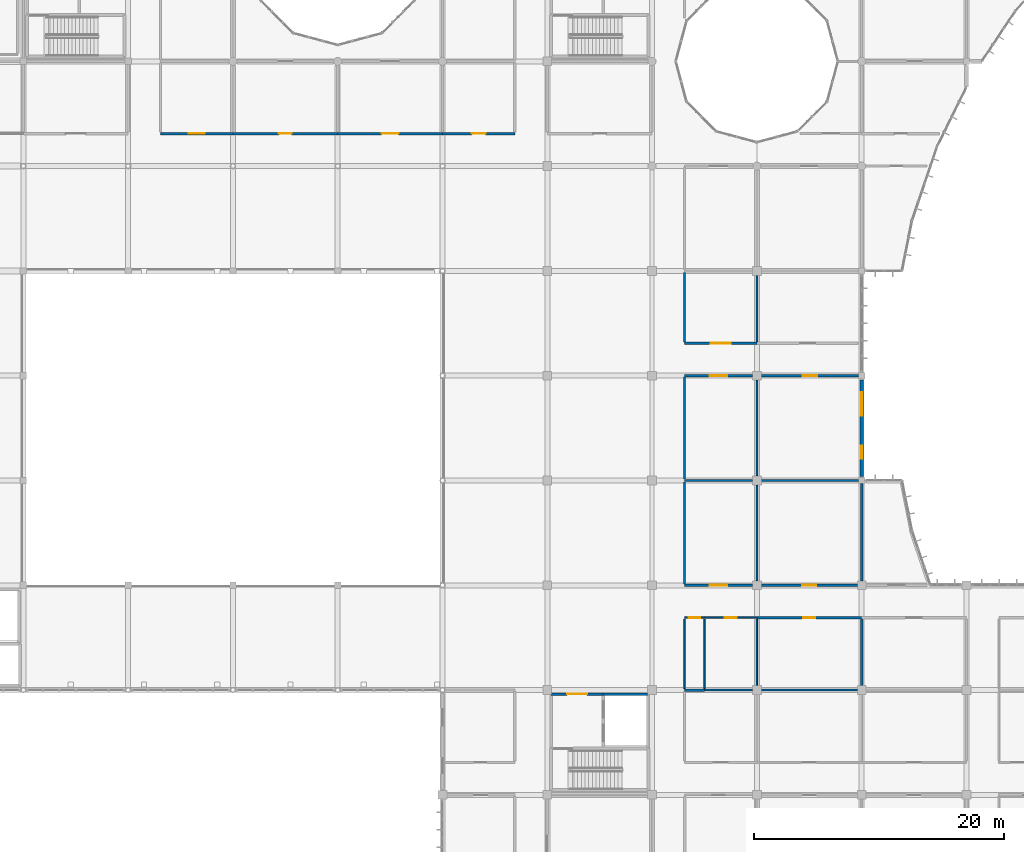
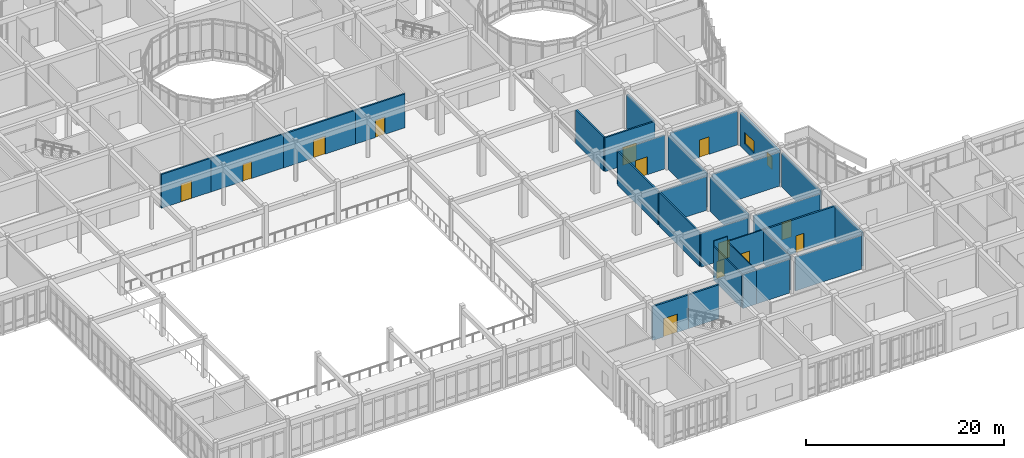
# One storey, part 94 of 134: 31 walls, 13 doors, 2 windows, 15 openings.
"""IFC4 building model written with IfcOpenShell, lengths in metres."""

from ifc_helpers import new_model, si_unit, direction, frame, frame_2d, origin, place, context, subcontext, project, spatial, rectangle, extrude, material, layer, layer_set, type_object, element, fill, save


model = new_model("IFC4")

# Units and contexts
model_context = context("Model", 3, precision=1e-05, world=origin(), true_north=direction((0.0, 1.0)))
body_context = subcontext(model_context, "Body", "Model", "MODEL_VIEW")
ifc_project = project(units=[si_unit("LENGTHUNIT", "METRE"), si_unit("AREAUNIT", "SQUARE_METRE"), si_unit("VOLUMEUNIT", "CUBIC_METRE"), si_unit("PLANEANGLEUNIT", "RADIAN"), si_unit("MASSUNIT", "GRAM", prefix="KILO")], contexts=[model_context])

# Site, building, storey
site_placement = place(None, origin())
site = spatial("IfcSite", under=ifc_project, at=site_placement, CompositionType="ELEMENT")
building_placement = place(site_placement, origin())
building = spatial("IfcBuilding", under=site, at=building_placement, Name="Bramfleet General Hospital", CompositionType="ELEMENT")
storey_placement = place(building_placement, frame((0.0, 0.0, 9.300048828125)))
storey = spatial("IfcBuildingStorey", under=building, at=storey_placement, Name="L02", CompositionType="ELEMENT", Elevation=9.300048828125)

# Wall, openings, windows
ifc_material_1 = material(Name="Precast concrete C40/50", Category="concrete")
ifc_layer_1 = layer(ifc_material_1, 0.280029296875, Name="WT-EW-06")
ifc_layer_set_1 = layer_set([ifc_layer_1], Name="Precast concrete C40/50")
wall_type_1 = type_object("IfcWallType", Name="WT-EW-06", PredefinedType="SOLIDWALL", material=ifc_layer_set_1)
wall_1_placement = place(storey_placement, frame((126.0, 41.675048828125, 0.0), z_axis=(0.0, 0.0, 1.0), x_axis=(0.0, -1.0, 0.0)))
wall_1 = element("IfcWall", 1, at=wall_1_placement, inside=storey, type_object=wall_type_1, Name="L02 Exterior Wall 221", PredefinedType="SOLIDWALL", context=body_context, shape_type="SweptSolid", body=[
    extrude(rectangle(XDim=7.75, YDim=0.280029296875, at=frame_2d((3.875, 0.0))), origin(), (0.0, 0.0, 1.0), 4.070068359375),
])
opening_1_placement = place(wall_1_placement, frame((0.987548828125, 0.0, 0.85009765625)))
opening_1 = element("IfcOpeningElement", 2, at=opening_1_placement, cuts=wall_1, Name="Opening W-20", PredefinedType="OPENING", context=body_context, shape_type="SweptSolid", body=[
    extrude(rectangle(XDim=1.89990234375, YDim=1.419921875, at=frame_2d((0.949951171875, 0.7099609375))), frame((0.0, 0.14990234375, 0.0), z_axis=(0.0, -1.0, 0.0), x_axis=(1.0, 0.0, 0.0)), (0.0, 0.0, 1.0), 0.300048828125),
])
opening_2_placement = place(wall_1_placement, frame((5.28759765625, 0.0, 0.85009765625)))
opening_2 = element("IfcOpeningElement", 3, at=opening_2_placement, cuts=wall_1, Name="Opening W-21", PredefinedType="OPENING", context=body_context, shape_type="SweptSolid", body=[
    extrude(rectangle(XDim=1.050048828125, YDim=1.5400390625, at=frame_2d((0.52490234375, 0.77001953125))), frame((0.0, 0.14990234375, 0.0), z_axis=(0.0, -1.0, 0.0), x_axis=(1.0, 0.0, 0.0)), (0.0, 0.0, 1.0), 0.300048828125),
])
ifc_material_2 = material(Name="Anodised aluminium and low-E triple glazing", Category="aluminium")
window_type_1 = type_object("IfcWindowType", Name="WIN-W-20", PartitioningType="SINGLE_PANEL", PredefinedType="WINDOW", material=ifc_material_2)
window_1_placement = place(opening_1_placement, origin())
window_1 = element("IfcWindow", 4, at=window_1_placement, inside=storey, type_object=window_type_1, Name="L02 Facade Window WIN-L02-221-1", OverallHeight=1.419921875, OverallWidth=1.89990234375, PartitioningType="SINGLE_PANEL", PredefinedType="WINDOW", context=body_context, shape_type="SweptSolid", body=[
    extrude(rectangle(XDim=1.89990234375, YDim=1.419921875, at=frame_2d((0.949951171875, 0.7099609375))), frame((0.0, 0.030029296875, 0.0), z_axis=(0.0, -1.0, 0.0), x_axis=(1.0, 0.0, 0.0)), (0.0, 0.0, 1.0), 0.06005859375),
])
fill(opening_1, window_1)
window_type_2 = type_object("IfcWindowType", Name="WIN-W-21", PartitioningType="SINGLE_PANEL", PredefinedType="WINDOW", material=ifc_material_2)
window_2_placement = place(opening_2_placement, origin())
window_2 = element("IfcWindow", 5, at=window_2_placement, inside=storey, type_object=window_type_2, Name="L02 Facade Window WIN-L02-221-2", OverallHeight=1.5400390625, OverallWidth=1.050048828125, PartitioningType="SINGLE_PANEL", PredefinedType="WINDOW", context=body_context, shape_type="SweptSolid", body=[
    extrude(rectangle(XDim=1.050048828125, YDim=1.5400390625, at=frame_2d((0.52490234375, 0.77001953125))), frame((0.0, 0.030029296875, 0.0), z_axis=(0.0, -1.0, 0.0), x_axis=(1.0, 0.0, 0.0)), (0.0, 0.0, 1.0), 0.06005859375),
])
fill(opening_2, window_2)

# Walls
ifc_material_3 = material(Name="Concrete C35/45", Category="concrete")
ifc_layer_2 = layer(ifc_material_3, 0.219970703125, Name="WT-IW-01")
ifc_layer_set_2 = layer_set([ifc_layer_2], Name="Concrete C35/45")
wall_type_2 = type_object("IfcWallType", Name="WT-IW-01", PredefinedType="PARTITIONING", material=ifc_layer_set_2)
wall_2_placement = place(storey_placement, frame((126.0, 17.14501953125, 0.0), z_axis=(0.0, 0.0, 1.0), x_axis=(0.0, 1.0, 0.0)))
element("IfcWall", 6, at=wall_2_placement, inside=storey, type_object=wall_type_2, Name="L02 Interior Partition IW-L02-2401", PredefinedType="PARTITIONING", context=body_context, shape_type="SweptSolid", body=[
    extrude(rectangle(XDim=5.340087890625, YDim=0.219970703125, at=frame_2d((2.669921875, 0.0))), origin(), (0.0, 0.0, 1.0), 4.169921875),
])
ifc_layer_3 = layer(ifc_material_3, 0.205078125, Name="WT-IW-02")
ifc_layer_set_3 = layer_set([ifc_layer_3], Name="Concrete C35/45")
wall_type_3 = type_object("IfcWallType", Name="WT-IW-02", PredefinedType="PARTITIONING", material=ifc_layer_set_3)
wall_3_placement = place(storey_placement, frame((105.280029296875, 16.47998046875, 0.0), z_axis=(0.0, 0.0, 1.0), x_axis=(1.0, 0.0, 0.0)))
element("IfcWall", 7, at=wall_3_placement, inside=storey, type_object=wall_type_3, Name="L02 C3 Lift Shaft North Wall", PredefinedType="PARTITIONING", context=body_context, shape_type="SweptSolid", body=[
    extrude(rectangle(XDim=3.570068359375, YDim=0.205078125, at=frame_2d((1.78515625, 0.0))), origin(), (0.0, 0.0, 1.0), 4.169921875),
])

# Wall, opening, door
wall_4_placement = place(storey_placement, frame((101.10009765625, 16.47998046875, 0.0), z_axis=(0.0, 0.0, 1.0), x_axis=(1.0, 0.0, 0.0)))
wall_4 = element("IfcWall", 8, at=wall_4_placement, inside=storey, type_object=wall_type_3, Name="L02 C3 Lobby North Compartment Wall", PredefinedType="PARTITIONING", context=body_context, shape_type="SweptSolid", body=[
    extrude(rectangle(XDim=4.179931640625, YDim=0.205078125, at=frame_2d((2.08984375, 0.0))), origin(), (0.0, 0.0, 1.0), 4.169921875),
])
opening_3_placement = place(wall_4_placement, frame((1.2900390625, 0.0, 0.0)))
opening_3 = element("IfcOpeningElement", 9, at=opening_3_placement, cuts=wall_4, Name="Opening D0026", PredefinedType="OPENING", context=body_context, shape_type="SweptSolid", body=[
    extrude(rectangle(XDim=1.60009765625, YDim=2.25, at=frame_2d((0.800048828125, 1.125))), frame((0.0, 0.112548828125, 0.0), z_axis=(0.0, -1.0, 0.0), x_axis=(1.0, 0.0, 0.0)), (0.0, 0.0, 1.0), 0.22509765625),
])
ifc_material_4 = material(Name="Stainless steel and acoustic timber leaf", Category="steel")
door_type_1 = type_object("IfcDoorType", Name="DR-D-04", OperationType="NOTDEFINED", PredefinedType="DOOR", material=ifc_material_4)
door_1_placement = place(opening_3_placement, origin())
door_1 = element("IfcDoor", 10, at=door_1_placement, inside=storey, type_object=door_type_1, Name="L02 C3 Lobby Fire Door D0026", OperationType="DOUBLE_SWING_LEFT", OverallHeight=2.25, OverallWidth=1.60009765625, PredefinedType="DOOR", context=body_context, shape_type="SweptSolid", body=[
    extrude(rectangle(XDim=1.60009765625, YDim=2.25, at=frame_2d((0.800048828125, 1.125))), frame((0.0, 0.02490234375, 0.0), z_axis=(0.0, -1.0, 0.0), x_axis=(1.0, 0.0, 0.0)), (0.0, 0.0, 1.0), 0.050048828125),
])
fill(opening_3, door_1)

wall_5_placement = place(storey_placement, frame((117.60009765625, 22.60009765625, 0.0), z_axis=(0.0, 0.0, 1.0), x_axis=(1.0, 0.0, 0.0)))
wall_5 = element("IfcWall", 11, at=wall_5_placement, inside=storey, type_object=wall_type_3, Name="L02 Interior Partition IW-L02-1958", PredefinedType="PARTITIONING", context=body_context, shape_type="SweptSolid", body=[
    extrude(rectangle(XDim=8.39990234375, YDim=0.205078125, at=frame_2d((4.199951171875, 0.0))), origin(), (0.0, 0.0, 1.0), 4.169921875),
])
opening_4_placement = place(wall_5_placement, frame((3.72509765625, 0.0, 0.0)))
opening_4 = element("IfcOpeningElement", 12, at=opening_4_placement, cuts=wall_5, Name="Opening D0970", PredefinedType="OPENING", context=body_context, shape_type="SweptSolid", body=[
    extrude(rectangle(XDim=0.949951171875, YDim=2.10009765625, at=frame_2d((0.47509765625, 1.050048828125))), frame((0.0, 0.112548828125, 0.0), z_axis=(0.0, -1.0, 0.0), x_axis=(1.0, 0.0, 0.0)), (0.0, 0.0, 1.0), 0.22509765625),
])
door_type_2 = type_object("IfcDoorType", Name="DR-D-10", OperationType="NOTDEFINED", PredefinedType="DOOR", material=ifc_material_4)
door_2_placement = place(opening_4_placement, origin())
door_2 = element("IfcDoor", 13, at=door_2_placement, inside=storey, type_object=door_type_2, Name="Outpatient Physiotherapy Clinic L02-1402 Door D0970", OperationType="SINGLE_SWING_LEFT", OverallHeight=2.10009765625, OverallWidth=0.949951171875, PredefinedType="DOOR", context=body_context, shape_type="SweptSolid", body=[
    extrude(rectangle(XDim=0.949951171875, YDim=2.10009765625, at=frame_2d((0.47509765625, 1.050048828125))), frame((0.0, 0.02490234375, 0.0), z_axis=(0.0, -1.0, 0.0), x_axis=(1.0, 0.0, 0.0)), (0.0, 0.0, 1.0), 0.050048828125),
])
fill(opening_4, door_2)

# Walls
ifc_layer_4 = layer(ifc_material_3, 0.18994140625, Name="WT-IW-03")
ifc_layer_set_4 = layer_set([ifc_layer_4], Name="Concrete C35/45")
wall_type_4 = type_object("IfcWallType", Name="WT-IW-03", PredefinedType="PARTITIONING", material=ifc_layer_set_4)
wall_6_placement = place(storey_placement, frame((111.800048828125, 16.800048828125, 0.0), z_axis=(0.0, 0.0, 1.0), x_axis=(1.0, 0.0, 0.0)))
element("IfcWall", 14, at=wall_6_placement, inside=storey, type_object=wall_type_4, Name="L02 Interior Partition IW-L02-1947", PredefinedType="PARTITIONING", context=body_context, shape_type="SweptSolid", body=[
    extrude(rectangle(XDim=1.599853515625, YDim=0.18994140625, at=frame_2d((0.7998046875, 0.0))), origin(), (0.0, 0.0, 1.0), 4.169921875),
])
ifc_layer_5 = layer(ifc_material_3, 0.179931640625, Name="WT-IW-04")
ifc_layer_set_5 = layer_set([ifc_layer_5], Name="Concrete C35/45")
wall_type_5 = type_object("IfcWallType", Name="WT-IW-04", PredefinedType="PARTITIONING", material=ifc_layer_set_5)
wall_7_placement = place(storey_placement, frame((113.39990234375, 16.800048828125, 0.0), z_axis=(0.0, 0.0, 1.0), x_axis=(1.0, 0.0, 0.0)))
element("IfcWall", 15, at=wall_7_placement, inside=storey, type_object=wall_type_5, Name="L02 Interior Partition IW-L02-1948", PredefinedType="PARTITIONING", context=body_context, shape_type="SweptSolid", body=[
    extrude(rectangle(XDim=3.85498046875, YDim=0.179931640625, at=frame_2d((1.927490234375, 0.0))), origin(), (0.0, 0.0, 1.0), 4.169921875),
])

# Wall, opening, door
wall_8_placement = place(storey_placement, frame((111.800048828125, 25.199951171875, 0.0), z_axis=(0.0, 0.0, 1.0), x_axis=(1.0, 0.0, 0.0)))
wall_8 = element("IfcWall", 16, at=wall_8_placement, inside=storey, type_object=wall_type_5, Name="L02 Interior Partition IW-L02-1964", PredefinedType="PARTITIONING", context=body_context, shape_type="SweptSolid", body=[
    extrude(rectangle(XDim=5.454833984375, YDim=0.179931640625, at=frame_2d((2.7275390625, 0.0))), origin(), (0.0, 0.0, 1.0), 4.169921875),
])
opening_5_placement = place(wall_8_placement, frame((2.03759765625, 0.0, 0.0)))
opening_5 = element("IfcOpeningElement", 17, at=opening_5_placement, cuts=wall_8, Name="Opening D0958", PredefinedType="OPENING", context=body_context, shape_type="SweptSolid", body=[
    extrude(rectangle(XDim=1.3798828125, YDim=2.219970703125, at=frame_2d((0.68994140625, 1.10986328125))), frame((0.0, 0.099853515625, 0.0), z_axis=(0.0, -1.0, 0.0), x_axis=(1.0, 0.0, 0.0)), (0.0, 0.0, 1.0), 0.199951171875),
])
door_type_3 = type_object("IfcDoorType", Name="DR-D-30", OperationType="NOTDEFINED", PredefinedType="DOOR", material=ifc_material_4)
door_3_placement = place(opening_5_placement, origin())
door_3 = element("IfcDoor", 18, at=door_3_placement, inside=storey, type_object=door_type_3, Name="Interventional Cardiology Cath Lab L02-1303 Door D0958", OperationType="SINGLE_SWING_LEFT", OverallHeight=2.219970703125, OverallWidth=1.3798828125, PredefinedType="DOOR", context=body_context, shape_type="SweptSolid", body=[
    extrude(rectangle(XDim=1.3798828125, YDim=2.219970703125, at=frame_2d((0.68994140625, 1.10986328125))), frame((0.0, 0.02490234375, 0.0), z_axis=(0.0, -1.0, 0.0), x_axis=(1.0, 0.0, 0.0)), (0.0, 0.0, 1.0), 0.050048828125),
])
fill(opening_5, door_3)

wall_9_placement = place(storey_placement, frame((117.945068359375, 25.199951171875, 0.0), z_axis=(0.0, 0.0, 1.0), x_axis=(1.0, 0.0, 0.0)))
wall_9 = element("IfcWall", 19, at=wall_9_placement, inside=storey, type_object=wall_type_5, Name="L02 Interior Partition IW-L02-1965", PredefinedType="PARTITIONING", context=body_context, shape_type="SweptSolid", body=[
    extrude(rectangle(XDim=7.7099609375, YDim=0.179931640625, at=frame_2d((3.85498046875, 0.0))), origin(), (0.0, 0.0, 1.0), 4.169921875),
])
opening_6_placement = place(wall_9_placement, frame((3.304931640625, 0.0, 0.0)))
opening_6 = element("IfcOpeningElement", 20, at=opening_6_placement, cuts=wall_9, Name="Opening D0971", PredefinedType="OPENING", context=body_context, shape_type="SweptSolid", body=[
    extrude(rectangle(XDim=1.10009765625, YDim=2.14990234375, at=frame_2d((0.550048828125, 1.074951171875))), frame((0.0, 0.099853515625, 0.0), z_axis=(0.0, -1.0, 0.0), x_axis=(1.0, 0.0, 0.0)), (0.0, 0.0, 1.0), 0.199951171875),
])
door_type_4 = type_object("IfcDoorType", Name="DR-D-11", OperationType="NOTDEFINED", PredefinedType="DOOR", material=ifc_material_4)
door_4_placement = place(opening_6_placement, origin())
door_4 = element("IfcDoor", 21, at=door_4_placement, inside=storey, type_object=door_type_4, Name="Interventional Cardiology Cath Lab L02-1403 Door D0971", OperationType="SINGLE_SWING_RIGHT", OverallHeight=2.14990234375, OverallWidth=1.10009765625, PredefinedType="DOOR", context=body_context, shape_type="SweptSolid", body=[
    extrude(rectangle(XDim=1.10009765625, YDim=2.14990234375, at=frame_2d((0.550048828125, 1.074951171875))), frame((0.0, 0.02490234375, 0.0), z_axis=(0.0, -1.0, 0.0), x_axis=(1.0, 0.0, 0.0)), (0.0, 0.0, 1.0), 0.050048828125),
])
fill(opening_6, door_4)

# Walls
wall_10_placement = place(storey_placement, frame((111.800048828125, 33.60009765625, 0.0), z_axis=(0.0, 0.0, 1.0), x_axis=(1.0, 0.0, 0.0)))
element("IfcWall", 22, at=wall_10_placement, inside=storey, type_object=wall_type_5, Name="L02 Interior Partition IW-L02-1967", PredefinedType="PARTITIONING", context=body_context, shape_type="SweptSolid", body=[
    extrude(rectangle(XDim=5.454833984375, YDim=0.179931640625, at=frame_2d((2.7275390625, 0.0))), origin(), (0.0, 0.0, 1.0), 4.169921875),
])
wall_11_placement = place(storey_placement, frame((117.945068359375, 33.60009765625, 0.0), z_axis=(0.0, 0.0, 1.0), x_axis=(1.0, 0.0, 0.0)))
element("IfcWall", 23, at=wall_11_placement, inside=storey, type_object=wall_type_5, Name="L02 Interior Partition IW-L02-1968", PredefinedType="PARTITIONING", context=body_context, shape_type="SweptSolid", body=[
    extrude(rectangle(XDim=7.809814453125, YDim=0.179931640625, at=frame_2d((3.90478515625, 0.0))), origin(), (0.0, 0.0, 1.0), 4.169921875),
])

# Wall, opening, door
wall_12_placement = place(storey_placement, frame((111.800048828125, 42.0, 0.0), z_axis=(0.0, 0.0, 1.0), x_axis=(1.0, 0.0, 0.0)))
wall_12 = element("IfcWall", 24, at=wall_12_placement, inside=storey, type_object=wall_type_5, Name="L02 Interior Partition IW-L02-1969", PredefinedType="PARTITIONING", context=body_context, shape_type="SweptSolid", body=[
    extrude(rectangle(XDim=5.454833984375, YDim=0.179931640625, at=frame_2d((2.7275390625, 0.0))), origin(), (0.0, 0.0, 1.0), 4.169921875),
])
opening_7_placement = place(wall_12_placement, frame((2.017578125, 0.0, 0.0)))
opening_7 = element("IfcOpeningElement", 25, at=opening_7_placement, cuts=wall_12, Name="Opening D0959", PredefinedType="OPENING", context=body_context, shape_type="SweptSolid", body=[
    extrude(rectangle(XDim=1.419921875, YDim=2.219970703125, at=frame_2d((0.7099609375, 1.10986328125))), frame((0.0, 0.099853515625, 0.0), z_axis=(0.0, -1.0, 0.0), x_axis=(1.0, 0.0, 0.0)), (0.0, 0.0, 1.0), 0.199951171875),
])
door_type_5 = type_object("IfcDoorType", Name="DR-D-31", OperationType="NOTDEFINED", PredefinedType="DOOR", material=ifc_material_4)
door_5_placement = place(opening_7_placement, origin())
door_5 = element("IfcDoor", 26, at=door_5_placement, inside=storey, type_object=door_type_5, Name="Interventional Cardiology Cath Lab L02-1304 Door D0959", OperationType="SINGLE_SWING_RIGHT", OverallHeight=2.219970703125, OverallWidth=1.419921875, PredefinedType="DOOR", context=body_context, shape_type="SweptSolid", body=[
    extrude(rectangle(XDim=1.419921875, YDim=2.219970703125, at=frame_2d((0.7099609375, 1.10986328125))), frame((0.0, 0.02490234375, 0.0), z_axis=(0.0, -1.0, 0.0), x_axis=(1.0, 0.0, 0.0)), (0.0, 0.0, 1.0), 0.050048828125),
])
fill(opening_7, door_5)

wall_13_placement = place(storey_placement, frame((117.945068359375, 42.0, 0.0), z_axis=(0.0, 0.0, 1.0), x_axis=(1.0, 0.0, 0.0)))
wall_13 = element("IfcWall", 27, at=wall_13_placement, inside=storey, type_object=wall_type_5, Name="L02 Interior Partition IW-L02-1970", PredefinedType="PARTITIONING", context=body_context, shape_type="SweptSolid", body=[
    extrude(rectangle(XDim=7.809814453125, YDim=0.179931640625, at=frame_2d((3.90478515625, 0.0))), origin(), (0.0, 0.0, 1.0), 4.169921875),
])
opening_8_placement = place(wall_13_placement, frame((3.330078125, 0.0, 0.0)))
opening_8 = element("IfcOpeningElement", 28, at=opening_8_placement, cuts=wall_13, Name="Opening D0972", PredefinedType="OPENING", context=body_context, shape_type="SweptSolid", body=[
    extrude(rectangle(XDim=1.14990234375, YDim=2.14990234375, at=frame_2d((0.574951171875, 1.074951171875))), frame((0.0, 0.099853515625, 0.0), z_axis=(0.0, -1.0, 0.0), x_axis=(1.0, 0.0, 0.0)), (0.0, 0.0, 1.0), 0.199951171875),
])
door_type_6 = type_object("IfcDoorType", Name="DR-D-12", OperationType="NOTDEFINED", PredefinedType="DOOR", material=ifc_material_4)
door_6_placement = place(opening_8_placement, origin())
door_6 = element("IfcDoor", 29, at=door_6_placement, inside=storey, type_object=door_type_6, Name="Interventional Cardiology Cath Lab L02-1404 Door D0972", OperationType="SINGLE_SWING_LEFT", OverallHeight=2.14990234375, OverallWidth=1.14990234375, PredefinedType="DOOR", context=body_context, shape_type="SweptSolid", body=[
    extrude(rectangle(XDim=1.14990234375, YDim=2.14990234375, at=frame_2d((0.574951171875, 1.074951171875))), frame((0.0, 0.02490234375, 0.0), z_axis=(0.0, -1.0, 0.0), x_axis=(1.0, 0.0, 0.0)), (0.0, 0.0, 1.0), 0.050048828125),
])
fill(opening_8, door_6)

wall_14_placement = place(storey_placement, frame((111.800048828125, 44.60009765625, 0.0), z_axis=(0.0, 0.0, 1.0), x_axis=(1.0, 0.0, 0.0)))
wall_14 = element("IfcWall", 30, at=wall_14_placement, inside=storey, type_object=wall_type_5, Name="L02 Interior Partition IW-L02-1971", PredefinedType="PARTITIONING", context=body_context, shape_type="SweptSolid", body=[
    extrude(rectangle(XDim=5.800048828125, YDim=0.179931640625, at=frame_2d((2.89990234375, 0.0))), origin(), (0.0, 0.0, 1.0), 4.169921875),
])
opening_9_placement = place(wall_14_placement, frame((2.110107421875, 0.0, 0.0)))
opening_9 = element("IfcOpeningElement", 31, at=opening_9_placement, cuts=wall_14, Name="Opening D0960", PredefinedType="OPENING", context=body_context, shape_type="SweptSolid", body=[
    extrude(rectangle(XDim=1.580078125, YDim=2.219970703125, at=frame_2d((0.7900390625, 1.10986328125))), frame((0.0, 0.099853515625, 0.0), z_axis=(0.0, -1.0, 0.0), x_axis=(1.0, 0.0, 0.0)), (0.0, 0.0, 1.0), 0.199951171875),
])
door_type_7 = type_object("IfcDoorType", Name="DR-D-32", OperationType="NOTDEFINED", PredefinedType="DOOR", material=ifc_material_4)
door_7_placement = place(opening_9_placement, origin())
door_7 = element("IfcDoor", 32, at=door_7_placement, inside=storey, type_object=door_type_7, Name="Interventional Cardiology Cath Lab L02-1305 Door D0960", OperationType="DOUBLE_SWING_LEFT", OverallHeight=2.219970703125, OverallWidth=1.580078125, PredefinedType="DOOR", context=body_context, shape_type="SweptSolid", body=[
    extrude(rectangle(XDim=1.580078125, YDim=2.219970703125, at=frame_2d((0.7900390625, 1.10986328125))), frame((0.0, 0.02490234375, 0.0), z_axis=(0.0, -1.0, 0.0), x_axis=(1.0, 0.0, 0.0)), (0.0, 0.0, 1.0), 0.050048828125),
])
fill(opening_9, door_7)

wall_15_placement = place(storey_placement, frame((69.800048828125, 61.39990234375, 0.0), z_axis=(0.0, 0.0, 1.0), x_axis=(1.0, 0.0, 0.0)))
wall_15 = element("IfcWall", 33, at=wall_15_placement, inside=storey, type_object=wall_type_5, Name="L02 Interior Partition IW-L02-1993", PredefinedType="PARTITIONING", context=body_context, shape_type="SweptSolid", body=[
    extrude(rectangle(XDim=5.800048828125, YDim=0.179931640625, at=frame_2d((2.89990234375, 0.0))), origin(), (0.0, 0.0, 1.0), 4.169921875),
])
opening_10_placement = place(wall_15_placement, frame((2.27490234375, 0.0, 0.0)))
opening_10 = element("IfcOpeningElement", 34, at=opening_10_placement, cuts=wall_15, Name="Opening D0910", PredefinedType="OPENING", context=body_context, shape_type="SweptSolid", body=[
    extrude(rectangle(XDim=1.25, YDim=2.199951171875, at=frame_2d((0.625, 1.10009765625))), frame((0.0, 0.099853515625, 0.0), z_axis=(0.0, -1.0, 0.0), x_axis=(1.0, 0.0, 0.0)), (0.0, 0.0, 1.0), 0.199951171875),
])
door_type_8 = type_object("IfcDoorType", Name="DR-D-14", OperationType="NOTDEFINED", PredefinedType="DOOR", material=ifc_material_4)
door_8_placement = place(opening_10_placement, origin())
door_8 = element("IfcDoor", 35, at=door_8_placement, inside=storey, type_object=door_type_8, Name="Interventional Cardiology Cath Lab L02-0807 Door D0910", OperationType="SINGLE_SWING_LEFT", OverallHeight=2.199951171875, OverallWidth=1.25, PredefinedType="DOOR", context=body_context, shape_type="SweptSolid", body=[
    extrude(rectangle(XDim=1.25, YDim=2.199951171875, at=frame_2d((0.625, 1.10009765625))), frame((0.0, 0.02490234375, 0.0), z_axis=(0.0, -1.0, 0.0), x_axis=(1.0, 0.0, 0.0)), (0.0, 0.0, 1.0), 0.050048828125),
])
fill(opening_10, door_8)

wall_16_placement = place(storey_placement, frame((75.60009765625, 61.39990234375, 0.0), z_axis=(0.0, 0.0, 1.0), x_axis=(1.0, 0.0, 0.0)))
wall_16 = element("IfcWall", 36, at=wall_16_placement, inside=storey, type_object=wall_type_5, Name="L02 Interior Partition IW-L02-1994", PredefinedType="PARTITIONING", context=body_context, shape_type="SweptSolid", body=[
    extrude(rectangle(XDim=8.39990234375, YDim=0.179931640625, at=frame_2d((4.199951171875, 0.0))), origin(), (0.0, 0.0, 1.0), 4.169921875),
])
opening_11_placement = place(wall_16_placement, frame((3.68994140625, 0.0, 0.0)))
opening_11 = element("IfcOpeningElement", 37, at=opening_11_placement, cuts=wall_16, Name="Opening D0917", PredefinedType="OPENING", context=body_context, shape_type="SweptSolid", body=[
    extrude(rectangle(XDim=1.02001953125, YDim=2.1201171875, at=frame_2d((0.510009765625, 1.06005859375))), frame((0.0, 0.099853515625, 0.0), z_axis=(0.0, -1.0, 0.0), x_axis=(1.0, 0.0, 0.0)), (0.0, 0.0, 1.0), 0.199951171875),
])
door_type_9 = type_object("IfcDoorType", Name="DR-D-21", OperationType="NOTDEFINED", PredefinedType="DOOR", material=ifc_material_4)
door_9_placement = place(opening_11_placement, origin())
door_9 = element("IfcDoor", 38, at=door_9_placement, inside=storey, type_object=door_type_9, Name="Interventional Cardiology Cath Lab L02-0907 Door D0917", OperationType="SINGLE_SWING_RIGHT", OverallHeight=2.1201171875, OverallWidth=1.02001953125, PredefinedType="DOOR", context=body_context, shape_type="SweptSolid", body=[
    extrude(rectangle(XDim=1.02001953125, YDim=2.1201171875, at=frame_2d((0.510009765625, 1.06005859375))), frame((0.0, 0.02490234375, 0.0), z_axis=(0.0, -1.0, 0.0), x_axis=(1.0, 0.0, 0.0)), (0.0, 0.0, 1.0), 0.050048828125),
])
fill(opening_11, door_9)

wall_17_placement = place(storey_placement, frame((84.0, 61.39990234375, 0.0), z_axis=(0.0, 0.0, 1.0), x_axis=(1.0, 0.0, 0.0)))
wall_17 = element("IfcWall", 39, at=wall_17_placement, inside=storey, type_object=wall_type_5, Name="L02 Interior Partition IW-L02-1995", PredefinedType="PARTITIONING", context=body_context, shape_type="SweptSolid", body=[
    extrude(rectangle(XDim=8.39990234375, YDim=0.179931640625, at=frame_2d((4.199951171875, 0.0))), origin(), (0.0, 0.0, 1.0), 4.169921875),
])
opening_12_placement = place(wall_17_placement, frame((3.510009765625, 0.0, 0.0)))
opening_12 = element("IfcOpeningElement", 40, at=opening_12_placement, cuts=wall_17, Name="Opening D0926", PredefinedType="OPENING", context=body_context, shape_type="SweptSolid", body=[
    extrude(rectangle(XDim=1.3798828125, YDim=2.219970703125, at=frame_2d((0.68994140625, 1.10986328125))), frame((0.0, 0.099853515625, 0.0), z_axis=(0.0, -1.0, 0.0), x_axis=(1.0, 0.0, 0.0)), (0.0, 0.0, 1.0), 0.199951171875),
])
door_10_placement = place(opening_12_placement, origin())
door_10 = element("IfcDoor", 41, at=door_10_placement, inside=storey, type_object=door_type_3, Name="Interventional Cardiology Cath Lab L02-1007 Door D0926", OperationType="SINGLE_SWING_LEFT", OverallHeight=2.219970703125, OverallWidth=1.3798828125, PredefinedType="DOOR", context=body_context, shape_type="SweptSolid", body=[
    extrude(rectangle(XDim=1.3798828125, YDim=2.219970703125, at=frame_2d((0.68994140625, 1.10986328125))), frame((0.0, 0.02490234375, 0.0), z_axis=(0.0, -1.0, 0.0), x_axis=(1.0, 0.0, 0.0)), (0.0, 0.0, 1.0), 0.050048828125),
])
fill(opening_12, door_10)

wall_18_placement = place(storey_placement, frame((92.39990234375, 61.39990234375, 0.0), z_axis=(0.0, 0.0, 1.0), x_axis=(1.0, 0.0, 0.0)))
wall_18 = element("IfcWall", 42, at=wall_18_placement, inside=storey, type_object=wall_type_5, Name="L02 Interior Partition IW-L02-1996", PredefinedType="PARTITIONING", context=body_context, shape_type="SweptSolid", body=[
    extrude(rectangle(XDim=5.800048828125, YDim=0.179931640625, at=frame_2d((2.89990234375, 0.0))), origin(), (0.0, 0.0, 1.0), 4.169921875),
])
opening_13_placement = place(wall_18_placement, frame((2.35009765625, 0.0, 0.0)))
opening_13 = element("IfcOpeningElement", 43, at=opening_13_placement, cuts=wall_18, Name="Opening D0939", PredefinedType="OPENING", context=body_context, shape_type="SweptSolid", body=[
    extrude(rectangle(XDim=1.10009765625, YDim=2.14990234375, at=frame_2d((0.550048828125, 1.074951171875))), frame((0.0, 0.099853515625, 0.0), z_axis=(0.0, -1.0, 0.0), x_axis=(1.0, 0.0, 0.0)), (0.0, 0.0, 1.0), 0.199951171875),
])
door_11_placement = place(opening_13_placement, origin())
door_11 = element("IfcDoor", 44, at=door_11_placement, inside=storey, type_object=door_type_4, Name="Interventional Cardiology Cath Lab L02-1107 Door D0939", OperationType="SINGLE_SWING_RIGHT", OverallHeight=2.14990234375, OverallWidth=1.10009765625, PredefinedType="DOOR", context=body_context, shape_type="SweptSolid", body=[
    extrude(rectangle(XDim=1.10009765625, YDim=2.14990234375, at=frame_2d((0.550048828125, 1.074951171875))), frame((0.0, 0.02490234375, 0.0), z_axis=(0.0, -1.0, 0.0), x_axis=(1.0, 0.0, 0.0)), (0.0, 0.0, 1.0), 0.050048828125),
])
fill(opening_13, door_11)

# Walls
wall_19_placement = place(storey_placement, frame((111.800048828125, 25.31494140625, 0.0), z_axis=(0.0, 0.0, 1.0), x_axis=(0.0, 1.0, 0.0)))
element("IfcWall", 45, at=wall_19_placement, inside=storey, type_object=wall_type_5, Name="L02 Interior Partition IW-L02-2369", PredefinedType="PARTITIONING", context=body_context, shape_type="SweptSolid", body=[
    extrude(rectangle(XDim=8.170166015625, YDim=0.179931640625, at=frame_2d((4.0849609375, 0.0))), origin(), (0.0, 0.0, 1.0), 4.169921875),
])
wall_20_placement = place(storey_placement, frame((111.800048828125, 33.715087890625, 0.0), z_axis=(0.0, 0.0, 1.0), x_axis=(0.0, 1.0, 0.0)))
element("IfcWall", 46, at=wall_20_placement, inside=storey, type_object=wall_type_5, Name="L02 Interior Partition IW-L02-2370", PredefinedType="PARTITIONING", context=body_context, shape_type="SweptSolid", body=[
    extrude(rectangle(XDim=8.169921875, YDim=0.179931640625, at=frame_2d((4.0849609375, 0.0))), origin(), (0.0, 0.0, 1.0), 4.169921875),
])
wall_21_placement = place(storey_placement, frame((111.800048828125, 44.715087890625, 0.0), z_axis=(0.0, 0.0, 1.0), x_axis=(0.0, 1.0, 0.0)))
element("IfcWall", 47, at=wall_21_placement, inside=storey, type_object=wall_type_5, Name="L02 Interior Partition IW-L02-2371", PredefinedType="PARTITIONING", context=body_context, shape_type="SweptSolid", body=[
    extrude(rectangle(XDim=5.56982421875, YDim=0.179931640625, at=frame_2d((2.784912109375, 0.0))), origin(), (0.0, 0.0, 1.0), 4.169921875),
])
for number, where, z_axis, x_axis, name in (
    (48, (117.60009765625, 25.544921875, 0.0), (0.0, 0.0, 1.0), (0.0, 1.0, 0.0), "L02 Interior Partition IW-L02-2386"),
    (49, (117.60009765625, 33.945068359375, 0.0), (0.0, 0.0, 1.0), (0.0, 1.0, 0.0), "L02 Interior Partition IW-L02-2387"),
):
    element("IfcWall", number, at=place(storey_placement, frame(where, z_axis=z_axis, x_axis=x_axis)), inside=storey, type_object=wall_type_5, Name=name, PredefinedType="PARTITIONING", context=body_context, shape_type="SweptSolid", body=[
        extrude(rectangle(XDim=7.7099609375, YDim=0.179931640625, at=frame_2d((3.85498046875, 0.0))), origin(), (0.0, 0.0, 1.0), 4.169921875),
    ])
wall_22_placement = place(storey_placement, frame((117.60009765625, 44.715087890625, 0.0), z_axis=(0.0, 0.0, 1.0), x_axis=(0.0, 1.0, 0.0)))
element("IfcWall", 50, at=wall_22_placement, inside=storey, type_object=wall_type_5, Name="L02 Interior Partition IW-L02-2388", PredefinedType="PARTITIONING", context=body_context, shape_type="SweptSolid", body=[
    extrude(rectangle(XDim=5.33984375, YDim=0.179931640625, at=frame_2d((2.669921875, 0.0))), origin(), (0.0, 0.0, 1.0), 4.169921875),
])
wall_23_placement = place(storey_placement, frame((126.0, 25.544921875, 0.0), z_axis=(0.0, 0.0, 1.0), x_axis=(0.0, 1.0, 0.0)))
element("IfcWall", 51, at=wall_23_placement, inside=storey, type_object=wall_type_5, Name="L02 Interior Partition IW-L02-2402", PredefinedType="PARTITIONING", context=body_context, shape_type="SweptSolid", body=[
    extrude(rectangle(XDim=7.81005859375, YDim=0.179931640625, at=frame_2d((3.905029296875, 0.0))), origin(), (0.0, 0.0, 1.0), 4.169921875),
])
ifc_material_5 = material(Name="Gypsum plasterboard on acoustic steel studs", Category="steel")
ifc_layer_6 = layer(ifc_material_5, 0.169921875, Name="WT-IW-05")
ifc_layer_set_6 = layer_set([ifc_layer_6], Name="Gypsum plasterboard on acoustic steel studs")
wall_type_6 = type_object("IfcWallType", Name="WT-IW-05", PredefinedType="PARTITIONING", material=ifc_layer_set_6)
wall_24_placement = place(storey_placement, frame((117.945068359375, 16.800048828125, 0.0), z_axis=(0.0, 0.0, 1.0), x_axis=(1.0, 0.0, 0.0)))
element("IfcWall", 52, at=wall_24_placement, inside=storey, type_object=wall_type_6, Name="L02 Interior Partition IW-L02-1949", PredefinedType="PARTITIONING", context=body_context, shape_type="SweptSolid", body=[
    extrude(rectangle(XDim=7.7099609375, YDim=0.169921875, at=frame_2d((3.85498046875, 0.0))), origin(), (0.0, 0.0, 1.0), 4.169921875),
])

# Wall, opening, door
ifc_layer_7 = layer(ifc_material_5, 0.1201171875, Name="WT-IW-10")
ifc_layer_set_7 = layer_set([ifc_layer_7], Name="Gypsum plasterboard on acoustic steel studs")
wall_type_7 = type_object("IfcWallType", Name="WT-IW-10", PredefinedType="PARTITIONING", material=ifc_layer_set_7)
wall_25_placement = place(storey_placement, frame((111.800048828125, 22.60009765625, 0.0), z_axis=(0.0, 0.0, 1.0), x_axis=(1.0, 0.0, 0.0)))
wall_25 = element("IfcWall", 53, at=wall_25_placement, inside=storey, type_object=wall_type_7, Name="L02 Interior Partition IW-L02-1956", PredefinedType="PARTITIONING", context=body_context, shape_type="SweptSolid", body=[
    extrude(rectangle(XDim=1.599853515625, YDim=0.1201171875, at=frame_2d((0.7998046875, 0.0))), origin(), (0.0, 0.0, 1.0), 4.77001953125),
])
opening_14_placement = place(wall_25_placement, frame((0.324951171875, 0.0, 0.0)))
opening_14 = element("IfcOpeningElement", 54, at=opening_14_placement, cuts=wall_25, Name="Opening D0956", PredefinedType="OPENING", context=body_context, shape_type="SweptSolid", body=[
    extrude(rectangle(XDim=0.949951171875, YDim=2.10009765625, at=frame_2d((0.47509765625, 1.050048828125))), frame((0.0, 0.070068359375, 0.0), z_axis=(0.0, -1.0, 0.0), x_axis=(1.0, 0.0, 0.0)), (0.0, 0.0, 1.0), 0.14013671875),
])
door_12_placement = place(opening_14_placement, origin())
door_12 = element("IfcDoor", 55, at=door_12_placement, inside=storey, type_object=door_type_2, Name="Level 02 Accessible WC Door D0956", OperationType="SINGLE_SWING_LEFT", OverallHeight=2.10009765625, OverallWidth=0.949951171875, PredefinedType="DOOR", context=body_context, shape_type="SweptSolid", body=[
    extrude(rectangle(XDim=0.949951171875, YDim=2.10009765625, at=frame_2d((0.47509765625, 1.050048828125))), frame((0.0, 0.02490234375, 0.0), z_axis=(0.0, -1.0, 0.0), x_axis=(1.0, 0.0, 0.0)), (0.0, 0.0, 1.0), 0.050048828125),
])
fill(opening_14, door_12)

wall_26_placement = place(storey_placement, frame((113.39990234375, 22.60009765625, 0.0), z_axis=(0.0, 0.0, 1.0), x_axis=(1.0, 0.0, 0.0)))
wall_26 = element("IfcWall", 56, at=wall_26_placement, inside=storey, type_object=wall_type_7, Name="L02 Interior Partition IW-L02-1957", PredefinedType="PARTITIONING", context=body_context, shape_type="SweptSolid", body=[
    extrude(rectangle(XDim=4.2001953125, YDim=0.1201171875, at=frame_2d((2.10009765625, 0.0))), origin(), (0.0, 0.0, 1.0), 4.169921875),
])
opening_15_placement = place(wall_26_placement, frame((1.625, 0.0, 0.0)))
opening_15 = element("IfcOpeningElement", 57, at=opening_15_placement, cuts=wall_26, Name="Opening D0957", PredefinedType="OPENING", context=body_context, shape_type="SweptSolid", body=[
    extrude(rectangle(XDim=0.949951171875, YDim=2.10009765625, at=frame_2d((0.47509765625, 1.050048828125))), frame((0.0, 0.070068359375, 0.0), z_axis=(0.0, -1.0, 0.0), x_axis=(1.0, 0.0, 0.0)), (0.0, 0.0, 1.0), 0.14013671875),
])
door_13_placement = place(opening_15_placement, origin())
door_13 = element("IfcDoor", 58, at=door_13_placement, inside=storey, type_object=door_type_2, Name="Level 02 Staff Changing and WC Door D0957", OperationType="SINGLE_SWING_LEFT", OverallHeight=2.10009765625, OverallWidth=0.949951171875, PredefinedType="DOOR", context=body_context, shape_type="SweptSolid", body=[
    extrude(rectangle(XDim=0.949951171875, YDim=2.10009765625, at=frame_2d((0.47509765625, 1.050048828125))), frame((0.0, 0.02490234375, 0.0), z_axis=(0.0, -1.0, 0.0), x_axis=(1.0, 0.0, 0.0)), (0.0, 0.0, 1.0), 0.050048828125),
])
fill(opening_15, door_13)

# Walls
for number, where, z_axis, x_axis, name in (
    (59, (111.800048828125, 16.9150390625, 0.0), (0.0, 0.0, 1.0), (0.0, 1.0, 0.0), "L02 Interior Partition IW-L02-2368"),
    (60, (113.39990234375, 16.9150390625, 0.0), (0.0, 0.0, 1.0), (0.0, 1.0, 0.0), "L02 Interior Partition IW-L02-2379"),
):
    element("IfcWall", number, at=place(storey_placement, frame(where, z_axis=z_axis, x_axis=x_axis)), inside=storey, type_object=wall_type_7, Name=name, PredefinedType="PARTITIONING", context=body_context, shape_type="SweptSolid", body=[
        extrude(rectangle(XDim=5.570068359375, YDim=0.1201171875, at=frame_2d((2.78515625, 0.0))), origin(), (0.0, 0.0, 1.0), 4.169921875),
    ])
wall_27_placement = place(storey_placement, frame((117.60009765625, 17.14501953125, 0.0), z_axis=(0.0, 0.0, 1.0), x_axis=(0.0, 1.0, 0.0)))
element("IfcWall", 61, at=wall_27_placement, inside=storey, type_object=wall_type_7, Name="L02 Interior Partition IW-L02-2385", PredefinedType="PARTITIONING", context=body_context, shape_type="SweptSolid", body=[
    extrude(rectangle(XDim=5.340087890625, YDim=0.1201171875, at=frame_2d((2.669921875, 0.0))), origin(), (0.0, 0.0, 1.0), 4.169921875),
])

save(model, "model.ifc")
